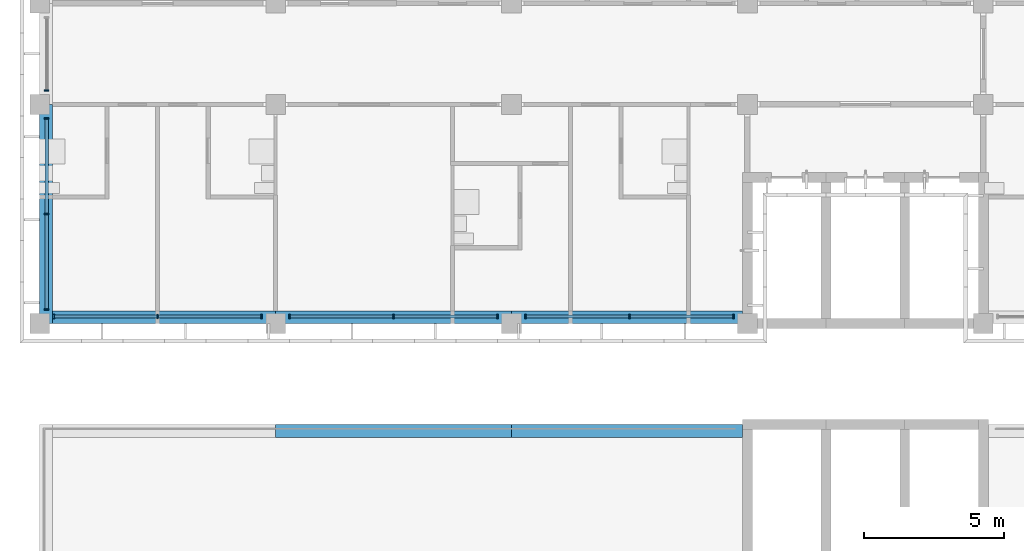
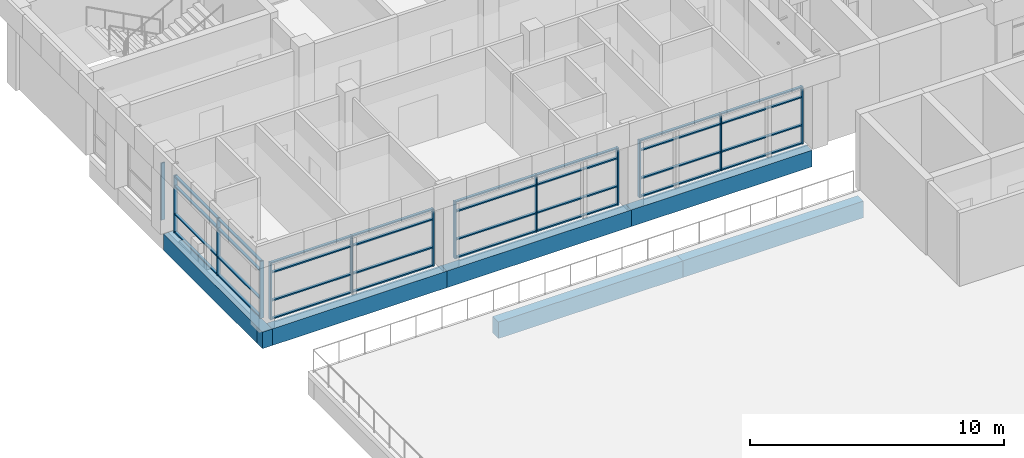
# One storey, part 2 of 46: 45 members, 6 beams, 5 elements without a shape of their own.
"""IFC4 building model written with IfcOpenShell, lengths in metres."""

import ifcopenshell
import ifcopenshell.guid

model = None  # the IFC model being written
_history = None  # IfcOwnerHistory: only IFC2X3 demands one
_inside = {}  # id of a spatial element -> (the spatial element, [elements in it])
_under = {}  # id of a project, library or spatial element -> (it, [spatial elements below it])
_declared = {}  # id of a project -> (the project, [libraries it declares])
_typed = {}  # id of a type object -> (the type object, [elements of that type])
_made_of = {}  # id of a material, layer set ... -> (it, [elements and type objects made of it])


def new_model(schema):
    """Start an empty IFC model of exactly this schema.

    Asked for "IFC4X3", IfcOpenShell would pick the latest addendum, in which some entities
    have other attributes; the version numbers below select the first issue.
    IFC2X3 requires an IfcOwnerHistory on every rooted entity: one is made here for all.
    """
    global model, _history
    if schema == "IFC4X3":
        model = ifcopenshell.file(schema_version=(4, 3, 0, 0))
    else:
        model = ifcopenshell.file(schema=schema)
    _inside.clear()
    _under.clear()
    _declared.clear()
    _typed.clear()
    _made_of.clear()
    _history = None
    if model.schema == "IFC2X3":
        org = make("IfcOrganization", Name="unknown")
        user = make(
            "IfcPersonAndOrganization",
            ThePerson=make("IfcPerson", FamilyName="unknown"),
            TheOrganization=org,
        )
        app = make(
            "IfcApplication",
            ApplicationDeveloper=org,
            Version="unknown",
            ApplicationFullName="unknown",
            ApplicationIdentifier="unknown",
        )
        _history = make(
            "IfcOwnerHistory",
            OwningUser=user,
            OwningApplication=app,
            ChangeAction="ADDED",
            CreationDate=0,
        )
    return model


def make(cls, **values):
    """One entity of the class cls with the attributes given. An attribute that is None is left unset."""
    return model.create_entity(
        cls, **{name: value for name, value in values.items() if value is not None}
    )


def rooted(cls, **values):
    """An entity with a GlobalId (a new one), such as an element, a storey or a relation."""
    return make(cls, GlobalId=ifcopenshell.guid.new(), OwnerHistory=_history, **values)


def si_unit(unit_type, name, prefix=None):
    """IfcSIUnit, for example si_unit("LENGTHUNIT", "METRE", prefix="MILLI")."""
    return make("IfcSIUnit", UnitType=unit_type, Prefix=prefix, Name=name)


def assignment(units):
    """IfcUnitAssignment: the units of a project."""
    return None if units is None else make("IfcUnitAssignment", Units=units)


def point(xyz):
    """IfcCartesianPoint."""
    return None if xyz is None else make("IfcCartesianPoint", Coordinates=xyz)


def direction(xyz):
    """IfcDirection."""
    return None if xyz is None else make("IfcDirection", DirectionRatios=xyz)


def frame(location, z_axis=None, x_axis=None):
    """IfcAxis2Placement3D, a coordinate frame: its origin and axes. An axis left out is left unset."""
    return make(
        "IfcAxis2Placement3D",
        Location=point(location),
        Axis=direction(z_axis),
        RefDirection=direction(x_axis),
    )


def frame_2d(location, x_axis=None):
    """IfcAxis2Placement2D, a coordinate frame in the plane: its origin and x axis."""
    return make(
        "IfcAxis2Placement2D", Location=point(location), RefDirection=direction(x_axis)
    )


def origin():
    """The frame at (0, 0, 0) with its axes left unset."""
    return frame((0.0, 0.0, 0.0))


def origin_2d():
    """The frame at (0, 0) in the plane with its x axis left unset."""
    return frame_2d((0.0, 0.0))


def place(relative_to, where):
    """IfcLocalPlacement: puts the frame where relative to a parent placement (None: the world)."""
    return make(
        "IfcLocalPlacement", PlacementRelTo=relative_to, RelativePlacement=where
    )


def context(
    kind, dimensions, precision=None, world=None, true_north=None, identifier=None
):
    """IfcGeometricRepresentationContext, for example the 3D "Model" context."""
    return make(
        "IfcGeometricRepresentationContext",
        ContextIdentifier=identifier,
        ContextType=kind,
        CoordinateSpaceDimension=dimensions,
        Precision=precision,
        WorldCoordinateSystem=world,
        TrueNorth=true_north,
    )


def subcontext(parent, identifier, kind, view, scale=None):
    """IfcGeometricRepresentationSubContext, for example "Body" below "Model"."""
    return make(
        "IfcGeometricRepresentationSubContext",
        ContextIdentifier=identifier,
        ContextType=kind,
        ParentContext=parent,
        TargetScale=scale,
        TargetView=view,
    )


def project(units=None, contexts=None):
    """IfcProject with its units and contexts."""
    return rooted(
        "IfcProject",
        Name="project",
        RepresentationContexts=contexts,
        UnitsInContext=assignment(units),
    )


def spatial(cls, under=None, at=None, **own):
    """A site, building, storey or space (cls), placed at a placement, below another one or the project."""
    s = rooted(cls, ObjectPlacement=at, **own)
    if under is not None:
        _under.setdefault(under.id(), (under, []))[1].append(s)
    return s


def profile(cls, at=None, kind="AREA", **sizes):
    """A parametric profile (cls). Its sizes go by their IFC names, for example OverallWidth=200.0."""
    return make(cls, ProfileType=kind, Position=at, **sizes)


def rectangle(**sizes):
    """IfcRectangleProfileDef."""
    return profile("IfcRectangleProfileDef", **sizes)


def extrude(swept, where, along, depth):
    """IfcExtrudedAreaSolid: the profile swept, set in the frame where, extruded along a direction by depth."""
    return make(
        "IfcExtrudedAreaSolid",
        SweptArea=swept,
        Position=where,
        ExtrudedDirection=direction(along),
        Depth=depth,
    )


def shape(context_of_items, identifier, shape_type, items):
    """IfcShapeRepresentation: the items that make up one representation, for example the "Body"."""
    return make(
        "IfcShapeRepresentation",
        ContextOfItems=context_of_items,
        RepresentationIdentifier=identifier,
        RepresentationType=shape_type,
        Items=items,
    )


def material(Name=None, Category=None):
    """IfcMaterial."""
    return make("IfcMaterial", Name=Name, Category=Category)


def material_profile(
    of_material, cross_section, Name=None, Category=None, Priority=None
):
    """IfcMaterialProfile: a cross section and its material."""
    return make(
        "IfcMaterialProfile",
        Name=Name,
        Material=of_material,
        Profile=cross_section,
        Priority=Priority,
        Category=Category,
    )


def profile_set(profiles, Name=None, composite=None):
    """IfcMaterialProfileSet."""
    return make(
        "IfcMaterialProfileSet",
        Name=Name,
        MaterialProfiles=profiles,
        CompositeProfile=composite,
    )


def made_of(thing, what):
    """Note that an element or type object is made of a material, layer set ...; save() writes the relation."""
    if what is not None:
        _made_of.setdefault(what.id(), (what, []))[1].append(thing)
    return thing


def type_object(cls, material=None, **own):
    """A type object (cls), such as IfcWallType, which elements share."""
    return made_of(rooted(cls, **own), material)


def element(
    cls,
    number,
    at=None,
    inside=None,
    cuts=None,
    type_object=None,
    material=None,
    context=None,
    identifier="Body",
    shape_type=None,
    held_by="IfcProductDefinitionShape",
    body=None,
    shapes=None,
    **own,
):
    """One element of the class cls, such as IfcWall. Its Tag is "e" and its number.

    at: its placement. inside: the storey or other place that contains it. cuts: it is an
    opening in that element (IfcRelVoidsElement). A single representation is given by context,
    identifier, shape_type and body (its items); several are given by shapes. held_by: the class
    of the entity that holds the representations. save() writes the other relations.
    """
    e = rooted(cls, Tag="e%d" % number, ObjectPlacement=at, **own)
    if body is not None:
        shapes = [shape(context, identifier, shape_type, body)]
    if shapes is not None:
        e.Representation = make(held_by, Representations=shapes)
    if inside is not None:
        _inside.setdefault(inside.id(), (inside, []))[1].append(e)
    if cuts is not None:
        rooted(
            "IfcRelVoidsElement", RelatingBuildingElement=cuts, RelatedOpeningElement=e
        )
    if type_object is not None:
        _typed.setdefault(type_object.id(), (type_object, []))[1].append(e)
    return made_of(e, material)


def aggregate(whole, parts):
    """IfcRelAggregates: a whole, such as a stair, and the parts it consists of."""
    return rooted("IfcRelAggregates", RelatingObject=whole, RelatedObjects=parts)


def save(model, path):
    """Write the relations noted so far, then the file.

    IfcRelAggregates (storeys below a building ...), IfcRelContainedInSpatialStructure (elements
    in a storey), IfcRelDefinesByType, IfcRelAssociatesMaterial and IfcRelDeclares: one each for
    every whole, place, type object, material and project.
    """
    for whole, parts in _under.values():
        aggregate(whole, parts)
    for where, things in _inside.values():
        rooted(
            "IfcRelContainedInSpatialStructure",
            RelatedElements=things,
            RelatingStructure=where,
        )
    for kind, things in _typed.values():
        rooted("IfcRelDefinesByType", RelatedObjects=things, RelatingType=kind)
    for what, things in _made_of.values():
        rooted("IfcRelAssociatesMaterial", RelatedObjects=things, RelatingMaterial=what)
    for by, libraries in _declared.values():
        rooted("IfcRelDeclares", RelatingContext=by, RelatedDefinitions=libraries)
    model.write(path)


model = new_model("IFC4")

# Units and contexts
model_context = context("Model", 3, precision=1e-05, world=origin(), true_north=direction((0.0, 1.0)))
body_context = subcontext(model_context, "Body", "Model", "MODEL_VIEW")
ifc_project = project(units=[si_unit("LENGTHUNIT", "METRE"), si_unit("AREAUNIT", "SQUARE_METRE"), si_unit("VOLUMEUNIT", "CUBIC_METRE"), si_unit("PLANEANGLEUNIT", "RADIAN"), si_unit("MASSUNIT", "GRAM", prefix="KILO")], contexts=[model_context])

# Site, building, storey
site_placement = place(None, origin())
site = spatial("IfcSite", under=ifc_project, at=site_placement, CompositionType="ELEMENT")
building_placement = place(site_placement, origin())
building = spatial("IfcBuilding", under=site, at=building_placement, Name="Bougainvillea Quay General Hospital", CompositionType="ELEMENT")
storey_placement = place(building_placement, frame((0.0, 0.0, 28.800048828125)))
storey = spatial("IfcBuildingStorey", under=building, at=storey_placement, Name="L06", CompositionType="ELEMENT", Elevation=28.800048828125)

# Curtain wall, member
ifc_material_1 = material(Name="Aluminium curtain wall system, powder-coated glazed", Category="aluminium")
curtain_wall_type_1 = type_object("IfcCurtainWallType", Name="Unitised curtain wall CW-2660", PredefinedType="NOTDEFINED", material=ifc_material_1)
curtain_wall_1_placement = place(storey_placement, origin())
curtain_wall_1 = element("IfcCurtainWall", 1, at=curtain_wall_1_placement, inside=storey, type_object=curtain_wall_type_1, Name="CW-4200 01", PredefinedType="NOTDEFINED")
ifc_material_2 = material(Name="Aluminium mullion, powder-coated charcoal", Category="aluminium")
ifc_material_profile_1 = material_profile(ifc_material_2, rectangle(XDim=0.159912109375, YDim=0.06005859375, at=origin_2d()))
ifc_profile_set_1 = profile_set([ifc_material_profile_1], Name="Aluminium mullion, powder-coated charcoal")
member_type_1 = type_object("IfcMemberType", Name="Curtain wall mullion 160x60", PredefinedType="MULLION", material=ifc_profile_set_1)
member_1_placement = place(storey_placement, frame((42.25, 148.699951171875, 0.0), z_axis=(0.0, 0.0, 1.0), x_axis=(1.0, 0.0, 0.0)))
member_1 = element("IfcMember", 2, at=member_1_placement, type_object=member_type_1, Name="CW-4200 mullion 2", PredefinedType="MULLION", context=body_context, shape_type="SweptSolid", body=[
    extrude(rectangle(XDim=0.159912109375, YDim=0.06005859375, at=origin_2d()), origin(), (0.0, 0.0, 1.0), 2.75),
])
aggregate(curtain_wall_1, [member_1])

# Curtain wall, members
curtain_wall_type_2 = type_object("IfcCurtainWallType", Name="Unitised curtain wall CW-3430", PredefinedType="NOTDEFINED", material=ifc_material_1)
curtain_wall_2_placement = place(storey_placement, origin())
curtain_wall_2 = element("IfcCurtainWall", 3, at=curtain_wall_2_placement, inside=storey, type_object=curtain_wall_type_2, Name="CW-4200 02", PredefinedType="NOTDEFINED")
member_2_placement = place(storey_placement, frame((42.25, 147.699951171875, 0.0), z_axis=(0.0, 0.0, 1.0), x_axis=(1.0, 0.0, 0.0)))
member_2 = element("IfcMember", 4, at=member_2_placement, type_object=member_type_1, Name="CW-4200 mullion 1", PredefinedType="MULLION", context=body_context, shape_type="SweptSolid", body=[
    extrude(rectangle(XDim=0.159912109375, YDim=0.06005859375, at=origin_2d()), origin(), (0.0, 0.0, 1.0), 2.75),
])
member_3_placement = place(storey_placement, frame((42.25, 144.300048828125, 0.0), z_axis=(0.0, 0.0, 1.0), x_axis=(1.0, 0.0, 0.0)))
member_3 = element("IfcMember", 5, at=member_3_placement, type_object=member_type_1, Name="CW-4200 mullion 2", PredefinedType="MULLION", context=body_context, shape_type="SweptSolid", body=[
    extrude(rectangle(XDim=0.159912109375, YDim=0.06005859375, at=origin_2d()), origin(), (0.0, 0.0, 1.0), 2.75),
])
member_4_placement = place(storey_placement, frame((42.25, 140.89990234375, 0.0), z_axis=(0.0, 0.0, 1.0), x_axis=(1.0, 0.0, 0.0)))
member_4 = element("IfcMember", 6, at=member_4_placement, type_object=member_type_1, Name="CW-4200 mullion 3", PredefinedType="MULLION", context=body_context, shape_type="SweptSolid", body=[
    extrude(rectangle(XDim=0.159912109375, YDim=0.06005859375, at=origin_2d()), origin(), (0.0, 0.0, 1.0), 2.75),
])

curtain_wall_type_3 = type_object("IfcCurtainWallType", Name="Unitised curtain wall CW-3730", PredefinedType="NOTDEFINED", material=ifc_material_1)
curtain_wall_3_placement = place(storey_placement, origin())
curtain_wall_3 = element("IfcCurtainWall", 7, at=curtain_wall_3_placement, inside=storey, type_object=curtain_wall_type_3, Name="CW-4200 00", PredefinedType="NOTDEFINED")
member_5_placement = place(storey_placement, frame((42.5, 140.64990234375, 0.0), z_axis=(0.0, 0.0, 1.0), x_axis=(0.0, 1.0, 0.0)))
member_5 = element("IfcMember", 8, at=member_5_placement, type_object=member_type_1, Name="CW-4200 mullion 1", PredefinedType="MULLION", context=body_context, shape_type="SweptSolid", body=[
    extrude(rectangle(XDim=0.159912109375, YDim=0.06005859375, at=origin_2d()), origin(), (0.0, 0.0, 1.0), 2.75),
])
member_6_placement = place(storey_placement, frame((46.199951171875, 140.64990234375, 0.0), z_axis=(0.0, 0.0, 1.0), x_axis=(0.0, 1.0, 0.0)))
member_6 = element("IfcMember", 9, at=member_6_placement, type_object=member_type_1, Name="CW-4200 mullion 2", PredefinedType="MULLION", context=body_context, shape_type="SweptSolid", body=[
    extrude(rectangle(XDim=0.159912109375, YDim=0.06005859375, at=origin_2d()), origin(), (0.0, 0.0, 1.0), 2.75),
])
member_7_placement = place(storey_placement, frame((49.89990234375, 140.64990234375, 0.0), z_axis=(0.0, 0.0, 1.0), x_axis=(0.0, 1.0, 0.0)))
member_7 = element("IfcMember", 10, at=member_7_placement, type_object=member_type_1, Name="CW-4200 mullion 3", PredefinedType="MULLION", context=body_context, shape_type="SweptSolid", body=[
    extrude(rectangle(XDim=0.159912109375, YDim=0.06005859375, at=origin_2d()), origin(), (0.0, 0.0, 1.0), 2.75),
])

curtain_wall_4_placement = place(storey_placement, origin())
curtain_wall_4 = element("IfcCurtainWall", 11, at=curtain_wall_4_placement, inside=storey, type_object=curtain_wall_type_3, Name="CW-4200 01", PredefinedType="NOTDEFINED")
member_8_placement = place(storey_placement, frame((50.89990234375, 140.64990234375, 0.0), z_axis=(0.0, 0.0, 1.0), x_axis=(0.0, 1.0, 0.0)))
member_8 = element("IfcMember", 12, at=member_8_placement, type_object=member_type_1, Name="CW-4200 mullion 1", PredefinedType="MULLION", context=body_context, shape_type="SweptSolid", body=[
    extrude(rectangle(XDim=0.159912109375, YDim=0.06005859375, at=origin_2d()), origin(), (0.0, 0.0, 1.0), 2.75),
])
member_9_placement = place(storey_placement, frame((54.60009765625, 140.64990234375, 0.0), z_axis=(0.0, 0.0, 1.0), x_axis=(0.0, 1.0, 0.0)))
member_9 = element("IfcMember", 13, at=member_9_placement, type_object=member_type_1, Name="CW-4200 mullion 2", PredefinedType="MULLION", context=body_context, shape_type="SweptSolid", body=[
    extrude(rectangle(XDim=0.159912109375, YDim=0.06005859375, at=origin_2d()), origin(), (0.0, 0.0, 1.0), 2.75),
])
member_10_placement = place(storey_placement, frame((58.300048828125, 140.64990234375, 0.0), z_axis=(0.0, 0.0, 1.0), x_axis=(0.0, 1.0, 0.0)))
member_10 = element("IfcMember", 14, at=member_10_placement, type_object=member_type_1, Name="CW-4200 mullion 3", PredefinedType="MULLION", context=body_context, shape_type="SweptSolid", body=[
    extrude(rectangle(XDim=0.159912109375, YDim=0.06005859375, at=origin_2d()), origin(), (0.0, 0.0, 1.0), 2.75),
])

curtain_wall_5_placement = place(storey_placement, origin())
curtain_wall_5 = element("IfcCurtainWall", 15, at=curtain_wall_5_placement, inside=storey, type_object=curtain_wall_type_3, Name="CW-4200 02", PredefinedType="NOTDEFINED")
member_11_placement = place(storey_placement, frame((59.300048828125, 140.64990234375, 0.0), z_axis=(0.0, 0.0, 1.0), x_axis=(0.0, 1.0, 0.0)))
member_11 = element("IfcMember", 16, at=member_11_placement, type_object=member_type_1, Name="CW-4200 mullion 1", PredefinedType="MULLION", context=body_context, shape_type="SweptSolid", body=[
    extrude(rectangle(XDim=0.159912109375, YDim=0.06005859375, at=origin_2d()), origin(), (0.0, 0.0, 1.0), 2.75),
])
member_12_placement = place(storey_placement, frame((63.0, 140.64990234375, 0.0), z_axis=(0.0, 0.0, 1.0), x_axis=(0.0, 1.0, 0.0)))
member_12 = element("IfcMember", 17, at=member_12_placement, type_object=member_type_1, Name="CW-4200 mullion 2", PredefinedType="MULLION", context=body_context, shape_type="SweptSolid", body=[
    extrude(rectangle(XDim=0.159912109375, YDim=0.06005859375, at=origin_2d()), origin(), (0.0, 0.0, 1.0), 2.75),
])
member_13_placement = place(storey_placement, frame((66.699951171875, 140.64990234375, 0.0), z_axis=(0.0, 0.0, 1.0), x_axis=(0.0, 1.0, 0.0)))
member_13 = element("IfcMember", 18, at=member_13_placement, type_object=member_type_1, Name="CW-4200 mullion 3", PredefinedType="MULLION", context=body_context, shape_type="SweptSolid", body=[
    extrude(rectangle(XDim=0.159912109375, YDim=0.06005859375, at=origin_2d()), origin(), (0.0, 0.0, 1.0), 2.75),
])

# Member
ifc_material_3 = material(Name="Aluminium transom, powder-coated charcoal", Category="aluminium")
ifc_material_profile_2 = material_profile(ifc_material_3, rectangle(XDim=0.1201171875, YDim=0.06005859375, at=origin_2d()))
ifc_profile_set_2 = profile_set([ifc_material_profile_2], Name="Aluminium transom, powder-coated charcoal")
member_type_2 = type_object("IfcMemberType", Name="Curtain wall transom 120x60", PredefinedType="USERDEFINED", material=ifc_profile_set_2)
member_14_placement = place(storey_placement, frame((42.25, 147.669921875, 0.030029296875), z_axis=(0.0, -1.0, 0.0), x_axis=(1.0, 0.0, 0.0)))
member_14 = element("IfcMember", 19, at=member_14_placement, type_object=member_type_2, Name="CW-4200 transom 1.1", ObjectType="TRANSOM", PredefinedType="USERDEFINED", context=body_context, shape_type="SweptSolid", body=[
    extrude(rectangle(XDim=0.1201171875, YDim=0.06005859375, at=origin_2d()), origin(), (0.0, 0.0, 1.0), 3.33984375),
])

member_15_placement = place(storey_placement, frame((42.25, 147.669921875, 0.89990234375), z_axis=(0.0, -1.0, 0.0), x_axis=(1.0, 0.0, 0.0)))
member_15 = element("IfcMember", 20, at=member_15_placement, type_object=member_type_2, Name="CW-4200 transom 1.2", ObjectType="TRANSOM", PredefinedType="USERDEFINED", context=body_context, shape_type="SweptSolid", body=[
    extrude(rectangle(XDim=0.1201171875, YDim=0.06005859375, at=origin_2d()), origin(), (0.0, 0.0, 1.0), 3.33984375),
])

member_16_placement = place(storey_placement, frame((42.25, 147.669921875, 2.25), z_axis=(0.0, -1.0, 0.0), x_axis=(1.0, 0.0, 0.0)))
member_16 = element("IfcMember", 21, at=member_16_placement, type_object=member_type_2, Name="CW-4200 transom 1.3", ObjectType="TRANSOM", PredefinedType="USERDEFINED", context=body_context, shape_type="SweptSolid", body=[
    extrude(rectangle(XDim=0.1201171875, YDim=0.06005859375, at=origin_2d()), origin(), (0.0, 0.0, 1.0), 3.33984375),
])

member_17_placement = place(storey_placement, frame((42.25, 147.669921875, 2.719970703125), z_axis=(0.0, -1.0, 0.0), x_axis=(1.0, 0.0, 0.0)))
member_17 = element("IfcMember", 22, at=member_17_placement, type_object=member_type_2, Name="CW-4200 transom 1.4", ObjectType="TRANSOM", PredefinedType="USERDEFINED", context=body_context, shape_type="SweptSolid", body=[
    extrude(rectangle(XDim=0.1201171875, YDim=0.06005859375, at=origin_2d()), origin(), (0.0, 0.0, 1.0), 3.33984375),
])

member_18_placement = place(storey_placement, frame((42.25, 144.27001953125, 0.030029296875), z_axis=(0.0, -1.0, 0.0), x_axis=(1.0, 0.0, 0.0)))
member_18 = element("IfcMember", 23, at=member_18_placement, type_object=member_type_2, Name="CW-4200 transom 2.1", ObjectType="TRANSOM", PredefinedType="USERDEFINED", context=body_context, shape_type="SweptSolid", body=[
    extrude(rectangle(XDim=0.1201171875, YDim=0.06005859375, at=origin_2d()), origin(), (0.0, 0.0, 1.0), 3.340087890625),
])

member_19_placement = place(storey_placement, frame((42.25, 144.27001953125, 0.89990234375), z_axis=(0.0, -1.0, 0.0), x_axis=(1.0, 0.0, 0.0)))
member_19 = element("IfcMember", 24, at=member_19_placement, type_object=member_type_2, Name="CW-4200 transom 2.2", ObjectType="TRANSOM", PredefinedType="USERDEFINED", context=body_context, shape_type="SweptSolid", body=[
    extrude(rectangle(XDim=0.1201171875, YDim=0.06005859375, at=origin_2d()), origin(), (0.0, 0.0, 1.0), 3.340087890625),
])

member_20_placement = place(storey_placement, frame((42.25, 144.27001953125, 2.25), z_axis=(0.0, -1.0, 0.0), x_axis=(1.0, 0.0, 0.0)))
member_20 = element("IfcMember", 25, at=member_20_placement, type_object=member_type_2, Name="CW-4200 transom 2.3", ObjectType="TRANSOM", PredefinedType="USERDEFINED", context=body_context, shape_type="SweptSolid", body=[
    extrude(rectangle(XDim=0.1201171875, YDim=0.06005859375, at=origin_2d()), origin(), (0.0, 0.0, 1.0), 3.340087890625),
])

member_21_placement = place(storey_placement, frame((42.25, 144.27001953125, 2.719970703125), z_axis=(0.0, -1.0, 0.0), x_axis=(1.0, 0.0, 0.0)))
member_21 = element("IfcMember", 26, at=member_21_placement, type_object=member_type_2, Name="CW-4200 transom 2.4", ObjectType="TRANSOM", PredefinedType="USERDEFINED", context=body_context, shape_type="SweptSolid", body=[
    extrude(rectangle(XDim=0.1201171875, YDim=0.06005859375, at=origin_2d()), origin(), (0.0, 0.0, 1.0), 3.340087890625),
])

aggregate(curtain_wall_2, [member_2, member_3, member_4, member_14, member_15, member_16, member_17, member_18, member_19, member_20, member_21])

member_22_placement = place(storey_placement, frame((42.530029296875, 140.64990234375, 0.030029296875), z_axis=(1.0, 0.0, 0.0), x_axis=(0.0, 1.0, 0.0)))
member_22 = element("IfcMember", 27, at=member_22_placement, type_object=member_type_2, Name="CW-4200 transom 1.1", ObjectType="TRANSOM", PredefinedType="USERDEFINED", context=body_context, shape_type="SweptSolid", body=[
    extrude(rectangle(XDim=0.1201171875, YDim=0.06005859375, at=origin_2d()), origin(), (0.0, 0.0, 1.0), 3.639892578125),
])

member_23_placement = place(storey_placement, frame((42.530029296875, 140.64990234375, 0.89990234375), z_axis=(1.0, 0.0, 0.0), x_axis=(0.0, 1.0, 0.0)))
member_23 = element("IfcMember", 28, at=member_23_placement, type_object=member_type_2, Name="CW-4200 transom 1.2", ObjectType="TRANSOM", PredefinedType="USERDEFINED", context=body_context, shape_type="SweptSolid", body=[
    extrude(rectangle(XDim=0.1201171875, YDim=0.06005859375, at=origin_2d()), origin(), (0.0, 0.0, 1.0), 3.639892578125),
])

member_24_placement = place(storey_placement, frame((42.530029296875, 140.64990234375, 2.25), z_axis=(1.0, 0.0, 0.0), x_axis=(0.0, 1.0, 0.0)))
member_24 = element("IfcMember", 29, at=member_24_placement, type_object=member_type_2, Name="CW-4200 transom 1.3", ObjectType="TRANSOM", PredefinedType="USERDEFINED", context=body_context, shape_type="SweptSolid", body=[
    extrude(rectangle(XDim=0.1201171875, YDim=0.06005859375, at=origin_2d()), origin(), (0.0, 0.0, 1.0), 3.639892578125),
])

member_25_placement = place(storey_placement, frame((42.530029296875, 140.64990234375, 2.719970703125), z_axis=(1.0, 0.0, 0.0), x_axis=(0.0, 1.0, 0.0)))
member_25 = element("IfcMember", 30, at=member_25_placement, type_object=member_type_2, Name="CW-4200 transom 1.4", ObjectType="TRANSOM", PredefinedType="USERDEFINED", context=body_context, shape_type="SweptSolid", body=[
    extrude(rectangle(XDim=0.1201171875, YDim=0.06005859375, at=origin_2d()), origin(), (0.0, 0.0, 1.0), 3.639892578125),
])

member_26_placement = place(storey_placement, frame((46.22998046875, 140.64990234375, 0.030029296875), z_axis=(1.0, 0.0, 0.0), x_axis=(0.0, 1.0, 0.0)))
member_26 = element("IfcMember", 31, at=member_26_placement, type_object=member_type_2, Name="CW-4200 transom 2.1", ObjectType="TRANSOM", PredefinedType="USERDEFINED", context=body_context, shape_type="SweptSolid", body=[
    extrude(rectangle(XDim=0.1201171875, YDim=0.06005859375, at=origin_2d()), origin(), (0.0, 0.0, 1.0), 3.64013671875),
])

member_27_placement = place(storey_placement, frame((46.22998046875, 140.64990234375, 0.89990234375), z_axis=(1.0, 0.0, 0.0), x_axis=(0.0, 1.0, 0.0)))
member_27 = element("IfcMember", 32, at=member_27_placement, type_object=member_type_2, Name="CW-4200 transom 2.2", ObjectType="TRANSOM", PredefinedType="USERDEFINED", context=body_context, shape_type="SweptSolid", body=[
    extrude(rectangle(XDim=0.1201171875, YDim=0.06005859375, at=origin_2d()), origin(), (0.0, 0.0, 1.0), 3.64013671875),
])

member_28_placement = place(storey_placement, frame((46.22998046875, 140.64990234375, 2.25), z_axis=(1.0, 0.0, 0.0), x_axis=(0.0, 1.0, 0.0)))
member_28 = element("IfcMember", 33, at=member_28_placement, type_object=member_type_2, Name="CW-4200 transom 2.3", ObjectType="TRANSOM", PredefinedType="USERDEFINED", context=body_context, shape_type="SweptSolid", body=[
    extrude(rectangle(XDim=0.1201171875, YDim=0.06005859375, at=origin_2d()), origin(), (0.0, 0.0, 1.0), 3.64013671875),
])

member_29_placement = place(storey_placement, frame((46.22998046875, 140.64990234375, 2.719970703125), z_axis=(1.0, 0.0, 0.0), x_axis=(0.0, 1.0, 0.0)))
member_29 = element("IfcMember", 34, at=member_29_placement, type_object=member_type_2, Name="CW-4200 transom 2.4", ObjectType="TRANSOM", PredefinedType="USERDEFINED", context=body_context, shape_type="SweptSolid", body=[
    extrude(rectangle(XDim=0.1201171875, YDim=0.06005859375, at=origin_2d()), origin(), (0.0, 0.0, 1.0), 3.64013671875),
])

aggregate(curtain_wall_3, [member_5, member_6, member_7, member_22, member_23, member_24, member_25, member_26, member_27, member_28, member_29])

member_30_placement = place(storey_placement, frame((50.929931640625, 140.64990234375, 0.030029296875), z_axis=(1.0, 0.0, 0.0), x_axis=(0.0, 1.0, 0.0)))
member_30 = element("IfcMember", 35, at=member_30_placement, type_object=member_type_2, Name="CW-4200 transom 1.1", ObjectType="TRANSOM", PredefinedType="USERDEFINED", context=body_context, shape_type="SweptSolid", body=[
    extrude(rectangle(XDim=0.1201171875, YDim=0.06005859375, at=origin_2d()), origin(), (0.0, 0.0, 1.0), 3.64013671875),
])

member_31_placement = place(storey_placement, frame((50.929931640625, 140.64990234375, 0.89990234375), z_axis=(1.0, 0.0, 0.0), x_axis=(0.0, 1.0, 0.0)))
member_31 = element("IfcMember", 36, at=member_31_placement, type_object=member_type_2, Name="CW-4200 transom 1.2", ObjectType="TRANSOM", PredefinedType="USERDEFINED", context=body_context, shape_type="SweptSolid", body=[
    extrude(rectangle(XDim=0.1201171875, YDim=0.06005859375, at=origin_2d()), origin(), (0.0, 0.0, 1.0), 3.64013671875),
])

member_32_placement = place(storey_placement, frame((50.929931640625, 140.64990234375, 2.25), z_axis=(1.0, 0.0, 0.0), x_axis=(0.0, 1.0, 0.0)))
member_32 = element("IfcMember", 37, at=member_32_placement, type_object=member_type_2, Name="CW-4200 transom 1.3", ObjectType="TRANSOM", PredefinedType="USERDEFINED", context=body_context, shape_type="SweptSolid", body=[
    extrude(rectangle(XDim=0.1201171875, YDim=0.06005859375, at=origin_2d()), origin(), (0.0, 0.0, 1.0), 3.64013671875),
])

member_33_placement = place(storey_placement, frame((50.929931640625, 140.64990234375, 2.719970703125), z_axis=(1.0, 0.0, 0.0), x_axis=(0.0, 1.0, 0.0)))
member_33 = element("IfcMember", 38, at=member_33_placement, type_object=member_type_2, Name="CW-4200 transom 1.4", ObjectType="TRANSOM", PredefinedType="USERDEFINED", context=body_context, shape_type="SweptSolid", body=[
    extrude(rectangle(XDim=0.1201171875, YDim=0.06005859375, at=origin_2d()), origin(), (0.0, 0.0, 1.0), 3.64013671875),
])

member_34_placement = place(storey_placement, frame((54.6298828125, 140.64990234375, 0.030029296875), z_axis=(1.0, 0.0, 0.0), x_axis=(0.0, 1.0, 0.0)))
member_34 = element("IfcMember", 39, at=member_34_placement, type_object=member_type_2, Name="CW-4200 transom 2.1", ObjectType="TRANSOM", PredefinedType="USERDEFINED", context=body_context, shape_type="SweptSolid", body=[
    extrude(rectangle(XDim=0.1201171875, YDim=0.06005859375, at=origin_2d()), origin(), (0.0, 0.0, 1.0), 3.64013671875),
])

member_35_placement = place(storey_placement, frame((54.6298828125, 140.64990234375, 0.89990234375), z_axis=(1.0, 0.0, 0.0), x_axis=(0.0, 1.0, 0.0)))
member_35 = element("IfcMember", 40, at=member_35_placement, type_object=member_type_2, Name="CW-4200 transom 2.2", ObjectType="TRANSOM", PredefinedType="USERDEFINED", context=body_context, shape_type="SweptSolid", body=[
    extrude(rectangle(XDim=0.1201171875, YDim=0.06005859375, at=origin_2d()), origin(), (0.0, 0.0, 1.0), 3.64013671875),
])

member_36_placement = place(storey_placement, frame((54.6298828125, 140.64990234375, 2.25), z_axis=(1.0, 0.0, 0.0), x_axis=(0.0, 1.0, 0.0)))
member_36 = element("IfcMember", 41, at=member_36_placement, type_object=member_type_2, Name="CW-4200 transom 2.3", ObjectType="TRANSOM", PredefinedType="USERDEFINED", context=body_context, shape_type="SweptSolid", body=[
    extrude(rectangle(XDim=0.1201171875, YDim=0.06005859375, at=origin_2d()), origin(), (0.0, 0.0, 1.0), 3.64013671875),
])

member_37_placement = place(storey_placement, frame((54.6298828125, 140.64990234375, 2.719970703125), z_axis=(1.0, 0.0, 0.0), x_axis=(0.0, 1.0, 0.0)))
member_37 = element("IfcMember", 42, at=member_37_placement, type_object=member_type_2, Name="CW-4200 transom 2.4", ObjectType="TRANSOM", PredefinedType="USERDEFINED", context=body_context, shape_type="SweptSolid", body=[
    extrude(rectangle(XDim=0.1201171875, YDim=0.06005859375, at=origin_2d()), origin(), (0.0, 0.0, 1.0), 3.64013671875),
])

aggregate(curtain_wall_4, [member_8, member_9, member_10, member_30, member_31, member_32, member_33, member_34, member_35, member_36, member_37])

member_38_placement = place(storey_placement, frame((59.330078125, 140.64990234375, 0.030029296875), z_axis=(1.0, 0.0, 0.0), x_axis=(0.0, 1.0, 0.0)))
member_38 = element("IfcMember", 43, at=member_38_placement, type_object=member_type_2, Name="CW-4200 transom 1.1", ObjectType="TRANSOM", PredefinedType="USERDEFINED", context=body_context, shape_type="SweptSolid", body=[
    extrude(rectangle(XDim=0.1201171875, YDim=0.06005859375, at=origin_2d()), origin(), (0.0, 0.0, 1.0), 3.639892578125),
])

member_39_placement = place(storey_placement, frame((59.330078125, 140.64990234375, 0.89990234375), z_axis=(1.0, 0.0, 0.0), x_axis=(0.0, 1.0, 0.0)))
member_39 = element("IfcMember", 44, at=member_39_placement, type_object=member_type_2, Name="CW-4200 transom 1.2", ObjectType="TRANSOM", PredefinedType="USERDEFINED", context=body_context, shape_type="SweptSolid", body=[
    extrude(rectangle(XDim=0.1201171875, YDim=0.06005859375, at=origin_2d()), origin(), (0.0, 0.0, 1.0), 3.639892578125),
])

member_40_placement = place(storey_placement, frame((59.330078125, 140.64990234375, 2.25), z_axis=(1.0, 0.0, 0.0), x_axis=(0.0, 1.0, 0.0)))
member_40 = element("IfcMember", 45, at=member_40_placement, type_object=member_type_2, Name="CW-4200 transom 1.3", ObjectType="TRANSOM", PredefinedType="USERDEFINED", context=body_context, shape_type="SweptSolid", body=[
    extrude(rectangle(XDim=0.1201171875, YDim=0.06005859375, at=origin_2d()), origin(), (0.0, 0.0, 1.0), 3.639892578125),
])

member_41_placement = place(storey_placement, frame((59.330078125, 140.64990234375, 2.719970703125), z_axis=(1.0, 0.0, 0.0), x_axis=(0.0, 1.0, 0.0)))
member_41 = element("IfcMember", 46, at=member_41_placement, type_object=member_type_2, Name="CW-4200 transom 1.4", ObjectType="TRANSOM", PredefinedType="USERDEFINED", context=body_context, shape_type="SweptSolid", body=[
    extrude(rectangle(XDim=0.1201171875, YDim=0.06005859375, at=origin_2d()), origin(), (0.0, 0.0, 1.0), 3.639892578125),
])

member_42_placement = place(storey_placement, frame((63.030029296875, 140.64990234375, 0.030029296875), z_axis=(1.0, 0.0, 0.0), x_axis=(0.0, 1.0, 0.0)))
member_42 = element("IfcMember", 47, at=member_42_placement, type_object=member_type_2, Name="CW-4200 transom 2.1", ObjectType="TRANSOM", PredefinedType="USERDEFINED", context=body_context, shape_type="SweptSolid", body=[
    extrude(rectangle(XDim=0.1201171875, YDim=0.06005859375, at=origin_2d()), origin(), (0.0, 0.0, 1.0), 3.639892578125),
])

member_43_placement = place(storey_placement, frame((63.030029296875, 140.64990234375, 0.89990234375), z_axis=(1.0, 0.0, 0.0), x_axis=(0.0, 1.0, 0.0)))
member_43 = element("IfcMember", 48, at=member_43_placement, type_object=member_type_2, Name="CW-4200 transom 2.2", ObjectType="TRANSOM", PredefinedType="USERDEFINED", context=body_context, shape_type="SweptSolid", body=[
    extrude(rectangle(XDim=0.1201171875, YDim=0.06005859375, at=origin_2d()), origin(), (0.0, 0.0, 1.0), 3.639892578125),
])

member_44_placement = place(storey_placement, frame((63.030029296875, 140.64990234375, 2.25), z_axis=(1.0, 0.0, 0.0), x_axis=(0.0, 1.0, 0.0)))
member_44 = element("IfcMember", 49, at=member_44_placement, type_object=member_type_2, Name="CW-4200 transom 2.3", ObjectType="TRANSOM", PredefinedType="USERDEFINED", context=body_context, shape_type="SweptSolid", body=[
    extrude(rectangle(XDim=0.1201171875, YDim=0.06005859375, at=origin_2d()), origin(), (0.0, 0.0, 1.0), 3.639892578125),
])

member_45_placement = place(storey_placement, frame((63.030029296875, 140.64990234375, 2.719970703125), z_axis=(1.0, 0.0, 0.0), x_axis=(0.0, 1.0, 0.0)))
member_45 = element("IfcMember", 50, at=member_45_placement, type_object=member_type_2, Name="CW-4200 transom 2.4", ObjectType="TRANSOM", PredefinedType="USERDEFINED", context=body_context, shape_type="SweptSolid", body=[
    extrude(rectangle(XDim=0.1201171875, YDim=0.06005859375, at=origin_2d()), origin(), (0.0, 0.0, 1.0), 3.639892578125),
])

aggregate(curtain_wall_5, [member_11, member_12, member_13, member_38, member_39, member_40, member_41, member_42, member_43, member_44, member_45])

# Beams
ifc_material_4 = material(Name="Concrete C40", Category="concrete")
ifc_material_profile_3 = material_profile(ifc_material_4, rectangle(XDim=0.449951171875, YDim=0.800048828125, at=origin_2d()))
ifc_profile_set_3 = profile_set([ifc_material_profile_3], Name="Concrete C40")
beam_type = type_object("IfcBeamType", Name="RC BEAM 450x800 C40", PredefinedType="BEAM", material=ifc_profile_set_3)
beam_1_placement = place(storey_placement, frame((42.22509765625, 148.199951171875, -0.699951171875), z_axis=(0.0, -1.0, 0.0), x_axis=(1.0, 0.0, 0.0)))
element("IfcBeam", 51, at=beam_1_placement, inside=storey, type_object=beam_type, Name="Edge beam L06", PredefinedType="BEAM", context=body_context, shape_type="SweptSolid", body=[
    extrude(rectangle(XDim=0.449951171875, YDim=0.800048828125, at=origin_2d()), origin(), (0.0, 0.0, 1.0), 7.800048828125),
])
beam_2_placement = place(storey_placement, frame((42.0, 140.625, -0.699951171875), z_axis=(1.0, 0.0, 0.0), x_axis=(0.0, 1.0, 0.0)))
element("IfcBeam", 52, at=beam_2_placement, inside=storey, type_object=beam_type, Name="Edge beam L06", PredefinedType="BEAM", context=body_context, shape_type="SweptSolid", body=[
    extrude(rectangle(XDim=0.449951171875, YDim=0.800048828125, at=origin_2d()), origin(), (0.0, 0.0, 1.0), 8.39990234375),
])
beam_3_placement = place(storey_placement, frame((50.39990234375, 140.625, -0.699951171875), z_axis=(1.0, 0.0, 0.0), x_axis=(0.0, 1.0, 0.0)))
element("IfcBeam", 53, at=beam_3_placement, inside=storey, type_object=beam_type, Name="Edge beam L06", PredefinedType="BEAM", context=body_context, shape_type="SweptSolid", body=[
    extrude(rectangle(XDim=0.449951171875, YDim=0.800048828125, at=origin_2d()), origin(), (0.0, 0.0, 1.0), 8.400146484375),
])
for number, where, z_axis, x_axis, name in (
    (54, (58.800048828125, 140.625, -0.699951171875), (1.0, 0.0, 0.0), (0.0, 1.0, 0.0), "Edge beam L06"),
    (55, (67.02490234375, 136.574951171875, -0.699951171875), (-1.0, 0.0, 0.0), (0.0, -1.0, 0.0), "Edge beam L06"),
):
    element("IfcBeam", number, at=place(storey_placement, frame(where, z_axis=z_axis, x_axis=x_axis)), inside=storey, type_object=beam_type, Name=name, PredefinedType="BEAM", context=body_context, shape_type="SweptSolid", body=[
        extrude(rectangle(XDim=0.449951171875, YDim=0.800048828125, at=origin_2d()), origin(), (0.0, 0.0, 1.0), 8.224853515625),
    ])
beam_4_placement = place(storey_placement, frame((58.800048828125, 136.574951171875, -0.699951171875), z_axis=(-1.0, 0.0, 0.0), x_axis=(0.0, -1.0, 0.0)))
element("IfcBeam", 56, at=beam_4_placement, inside=storey, type_object=beam_type, Name="Edge beam L06", PredefinedType="BEAM", context=body_context, shape_type="SweptSolid", body=[
    extrude(rectangle(XDim=0.449951171875, YDim=0.800048828125, at=origin_2d()), origin(), (0.0, 0.0, 1.0), 8.400146484375),
])

save(model, "model.ifc")
